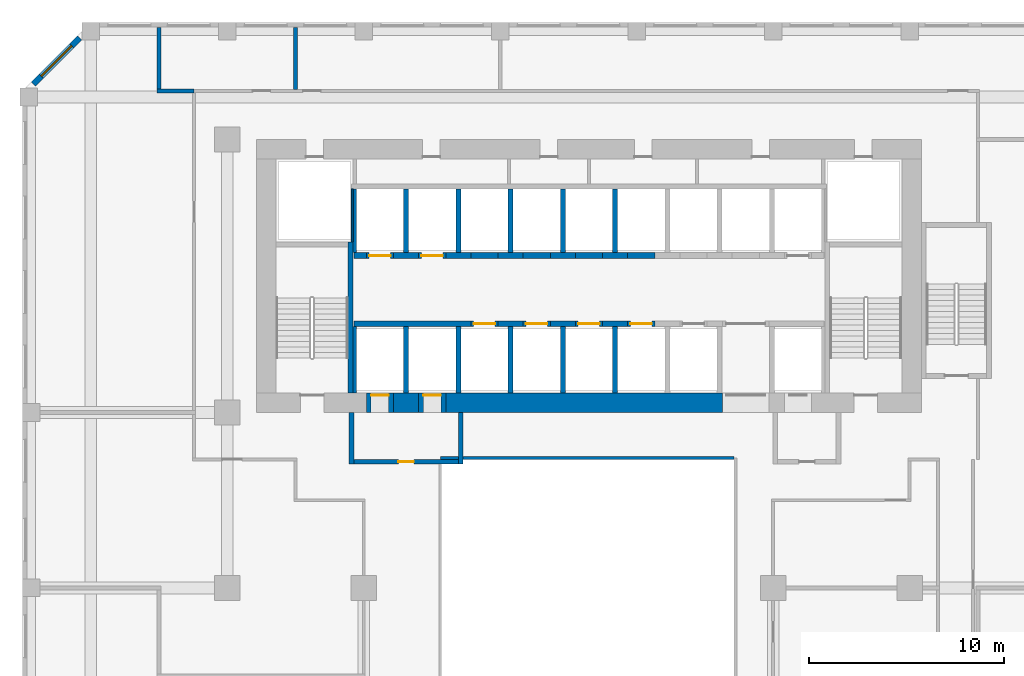
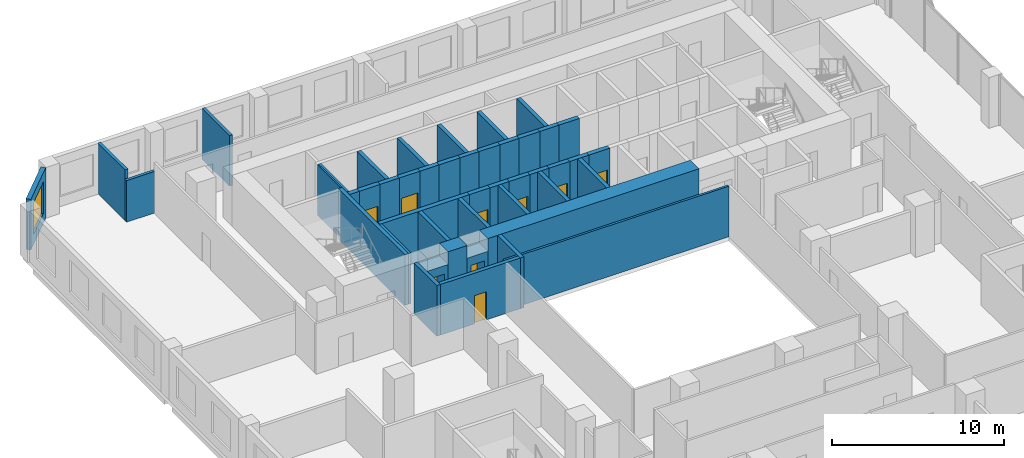
# One storey, part 15 of 23: 46 walls, 9 doors, 1 window, 10 openings.
"""IFC4 building model written with IfcOpenShell, lengths in metres."""

from ifc_helpers import new_model, si_unit, direction, frame, frame_2d, origin, place, context, subcontext, project, spatial, rectangle, extrude, source, transform, mapped, material, layer, layer_set, type_object, element, fill, save


model = new_model("IFC4")

# Units and contexts
model_context = context("Model", 3, precision=1e-05, world=origin(), true_north=direction((0.0, 1.0)))
body_context = subcontext(model_context, "Body", "Model", "MODEL_VIEW")
ifc_project = project(units=[si_unit("LENGTHUNIT", "METRE"), si_unit("AREAUNIT", "SQUARE_METRE"), si_unit("VOLUMEUNIT", "CUBIC_METRE"), si_unit("PLANEANGLEUNIT", "RADIAN"), si_unit("MASSUNIT", "GRAM", prefix="KILO")], contexts=[model_context])

# Site, building, storey
site_placement = place(None, origin())
site = spatial("IfcSite", under=ifc_project, at=site_placement, CompositionType="ELEMENT")
building_placement = place(site_placement, origin())
building = spatial("IfcBuilding", under=site, at=building_placement, Name="Kilnfold Tower and Market Hall", CompositionType="ELEMENT")
storey_placement = place(building_placement, frame((0.0, 0.0, 55.0)))
storey = spatial("IfcBuildingStorey", under=building, at=storey_placement, Name="L12", CompositionType="ELEMENT", Elevation=55.0)

# Walls
ifc_material_1 = material(Name="Fire-resisting glazed screen")
ifc_layer_1 = layer(ifc_material_1, 0.14990234375)
ifc_layer_set_1 = layer_set([ifc_layer_1], Name="Fire-resisting glazed screen")
wall_type_1 = type_object("IfcWallType", Name="WALL ATRIUM 150", PredefinedType="PARTITIONING", material=ifc_layer_set_1)
wall_1_placement = place(storey_placement, frame((-6.574951171875, 5.675048828125, 0.0), z_axis=(0.0, 0.0, 1.0), x_axis=(1.0, 0.0, 0.0)))
element("IfcWall", 1, at=wall_1_placement, inside=storey, type_object=wall_type_1, Name="Partition LY10.70", PredefinedType="PARTITIONING", context=body_context, shape_type="SweptSolid", body=[
    extrude(rectangle(XDim=15.074951171875, YDim=0.14990234375, at=frame_2d((7.53759765625, 0.0))), origin(), (0.0, 0.0, 1.0), 3.60009765625),
])
ifc_material_2 = material(Name="Gypsum board on steel studs", Category="steel")
ifc_layer_2 = layer(ifc_material_2, 0.199951171875)
ifc_layer_set_2 = layer_set([ifc_layer_2], Name="Gypsum board on steel studs")
wall_type_2 = type_object("IfcWallType", Name="WALL PARTY 200", PredefinedType="PARTITIONING", material=ifc_layer_set_2)
wall_2_placement = place(storey_placement, frame((-14.0, 27.75, 0.0), z_axis=(0.0, 0.0, 1.0), x_axis=(0.0, -1.0, 0.0)))
element("IfcWall", 2, at=wall_2_placement, inside=storey, type_object=wall_type_2, Name="Partition LY10.65", PredefinedType="PARTITIONING", context=body_context, shape_type="SweptSolid", body=[
    extrude(rectangle(XDim=3.174072265625, YDim=0.199951171875, at=frame_2d((1.5869140625, 0.0))), origin(), (0.0, 0.0, 1.0), 3.60009765625),
])
wall_3_placement = place(storey_placement, frame((-21.10009765625, 24.5, 0.0), z_axis=(0.0, 0.0, 1.0), x_axis=(1.0, 0.0, 0.0)))
element("IfcWall", 3, at=wall_3_placement, inside=storey, type_object=wall_type_2, Name="Partition LY10.66", PredefinedType="PARTITIONING", context=body_context, shape_type="SweptSolid", body=[
    extrude(rectangle(XDim=1.899169921875, YDim=0.199951171875, at=frame_2d((0.94970703125, 0.0))), origin(), (0.0, 0.0, 1.0), 2.949951171875),
])
wall_4_placement = place(storey_placement, frame((-21.0, 24.60009765625, 0.0), z_axis=(0.0, 0.0, 1.0), x_axis=(0.0, 1.0, 0.0)))
element("IfcWall", 4, at=wall_4_placement, inside=storey, type_object=wall_type_2, Name="Partition LY10.67", PredefinedType="PARTITIONING", context=body_context, shape_type="SweptSolid", body=[
    extrude(rectangle(XDim=3.14990234375, YDim=0.199951171875, at=frame_2d((1.574951171875, 0.0))), origin(), (0.0, 0.0, 1.0), 3.60009765625),
])
ifc_material_3 = material(Name="Concrete C80", Category="concrete")
ifc_layer_3 = layer(ifc_material_3, 1.0)
ifc_layer_set_3 = layer_set([ifc_layer_3], Name="Concrete C80")
wall_type_3 = type_object("IfcWallType", Name="CORE WALL 1000 C80", PredefinedType="SHEAR", material=ifc_layer_set_3)
shared_shape_1 = source(origin(), body_context, "Body", "SweptSolid", [
    extrude(rectangle(XDim=1.280029296875, YDim=1.0, at=frame_2d((0.64013671875, 0.0))), origin(), (0.0, 0.0, 1.0), 3.60009765625),
])
wall_5_placement = place(storey_placement, frame((-8.969970703125, 8.5, 0.0), z_axis=(0.0, 0.0, 1.0), x_axis=(1.0, 0.0, 0.0)))
element("IfcWall", 5, at=wall_5_placement, inside=storey, type_object=wall_type_3, Name="Core outer wall south", PredefinedType="SHEAR", context=body_context, shape_type="MappedRepresentation", body=[
    mapped(shared_shape_1, transform((0.0, 0.0, 0.0))),
])
shared_shape_2 = source(origin(), body_context, "Body", "SweptSolid", [
    extrude(rectangle(XDim=14.179931640625, YDim=1.0, at=frame_2d((7.08984375, 0.0))), origin(), (0.0, 0.0, 1.0), 3.60009765625),
])
wall_6_placement = place(storey_placement, frame((-6.2900390625, 8.5, 0.0), z_axis=(0.0, 0.0, 1.0), x_axis=(1.0, 0.0, 0.0)))
element("IfcWall", 6, at=wall_6_placement, inside=storey, type_object=wall_type_3, Name="Core outer wall south", PredefinedType="SHEAR", context=body_context, shape_type="MappedRepresentation", body=[
    mapped(shared_shape_2, transform((0.0, 0.0, 0.0))),
])
ifc_material_4 = material(Name="Concrete C80", Category="concrete")
ifc_layer_4 = layer(ifc_material_4, 0.25)
ifc_layer_set_4 = layer_set([ifc_layer_4], Name="Concrete C80")
wall_type_4 = type_object("IfcWallType", Name="CORE WALL 250 C80", PredefinedType="SHEAR", material=ifc_layer_set_4)
shared_shape_3 = source(origin(), body_context, "Body", "SweptSolid", [
    extrude(rectangle(XDim=7.75, YDim=0.25, at=frame_2d((3.875, 0.0))), origin(), (0.0, 0.0, 1.0), 3.60009765625),
])
wall_7_placement = place(storey_placement, frame((-11.175048828125, 9.0, 0.0), z_axis=(0.0, 0.0, 1.0), x_axis=(0.0, 1.0, 0.0)))
element("IfcWall", 7, at=wall_7_placement, inside=storey, type_object=wall_type_4, Name="Stair enclosure ST1", PredefinedType="SHEAR", context=body_context, shape_type="MappedRepresentation", body=[
    mapped(shared_shape_3, transform((0.0, 0.0, 0.0))),
])
ifc_material_5 = material(Name="Concrete C80", Category="concrete")
ifc_layer_5 = layer(ifc_material_5, 0.300048828125)
ifc_layer_set_5 = layer_set([ifc_layer_5], Name="Concrete C80")
wall_type_5 = type_object("IfcWallType", Name="CORE WALL 300 C80", PredefinedType="SHEAR", material=ifc_layer_set_5)
shared_shape_4 = source(origin(), body_context, "Body", "SweptSolid", [
    extrude(rectangle(XDim=6.0, YDim=0.300048828125, at=frame_2d((3.0, 0.0))), origin(), (0.0, 0.0, 1.0), 3.60009765625),
])
wall_8_placement = place(storey_placement, frame((-11.010009765625, 12.550048828125, 0.0), z_axis=(0.0, 0.0, 1.0), x_axis=(1.0, 0.0, 0.0)))
element("IfcWall", 8, at=wall_8_placement, inside=storey, type_object=wall_type_5, Name="Core spine wall", PredefinedType="SHEAR", context=body_context, shape_type="MappedRepresentation", body=[
    mapped(shared_shape_4, transform((0.0, 0.0, 0.0))),
])
shared_shape_5 = source(origin(), body_context, "Body", "SweptSolid", [
    extrude(rectangle(XDim=1.280029296875, YDim=0.300048828125, at=frame_2d((0.64013671875, 0.0))), origin(), (0.0, 0.0, 1.0), 3.60009765625),
])
for number, where, z_axis, x_axis, name in (
    (9, (-3.610107421875, 12.550048828125, 0.0), (0.0, 0.0, 1.0), (1.0, 0.0, 0.0), "Core spine wall"),
    (10, (-0.929931640625, 12.550048828125, 0.0), (0.0, 0.0, 1.0), (1.0, 0.0, 0.0), "Core spine wall"),
    (11, (1.75, 12.550048828125, 0.0), (0.0, 0.0, 1.0), (1.0, 0.0, 0.0), "Core spine wall"),
    (12, (-8.969970703125, 16.050048828125, 0.0), (0.0, 0.0, 1.0), (1.0, 0.0, 0.0), "Core spine wall"),
    (13, (-6.2900390625, 16.050048828125, 0.0), (0.0, 0.0, 1.0), (1.0, 0.0, 0.0), "Core spine wall"),
    (14, (-3.610107421875, 16.050048828125, 0.0), (0.0, 0.0, 1.0), (1.0, 0.0, 0.0), "Core spine wall"),
    (15, (-0.929931640625, 16.050048828125, 0.0), (0.0, 0.0, 1.0), (1.0, 0.0, 0.0), "Core spine wall"),
    (16, (1.75, 16.050048828125, 0.0), (0.0, 0.0, 1.0), (1.0, 0.0, 0.0), "Core spine wall"),
):
    element("IfcWall", number, at=place(storey_placement, frame(where, z_axis=z_axis, x_axis=x_axis)), inside=storey, type_object=wall_type_5, Name=name, PredefinedType="SHEAR", context=body_context, shape_type="MappedRepresentation", body=[
        mapped(shared_shape_5, transform((0.0, 0.0, 0.0))),
    ])
shared_shape_6 = source(origin(), body_context, "Body", "SweptSolid", [
    extrude(rectangle(XDim=0.639892578125, YDim=0.300048828125, at=frame_2d((0.31982421875, 0.0))), origin(), (0.0, 0.0, 1.0), 3.60009765625),
])
wall_9_placement = place(storey_placement, frame((-11.010009765625, 16.050048828125, 0.0), z_axis=(0.0, 0.0, 1.0), x_axis=(1.0, 0.0, 0.0)))
element("IfcWall", 17, at=wall_9_placement, inside=storey, type_object=wall_type_5, Name="Core spine wall", PredefinedType="SHEAR", context=body_context, shape_type="MappedRepresentation", body=[
    mapped(shared_shape_6, transform((0.0, 0.0, 0.0))),
])

# Wall, opening, window
ifc_material_6 = material(Name="Precast concrete C50/60", Category="concrete")
ifc_layer_6 = layer(ifc_material_6, 0.300048828125)
ifc_layer_set_6 = layer_set([ifc_layer_6], Name="Precast concrete C50/60")
wall_type_6 = type_object("IfcWallType", Name="PRECAST WALL 300", PredefinedType="SOLIDWALL", material=ifc_layer_set_6)
shared_shape_7 = source(origin(), body_context, "Body", "SweptSolid", [
    extrude(rectangle(XDim=3.35888671875, YDim=0.300048828125, at=frame_2d((1.679443359375, 0.0))), origin(), (0.0, 0.0, 1.0), 3.60009765625),
])
wall_10_placement = place(storey_placement, frame((-25.06884765625, 27.218994140625, 0.0), z_axis=(0.0, 0.0, 1.0), x_axis=(-0.707143122278, -0.707070438228, 0.0)))
wall_10 = element("IfcWall", 18, at=wall_10_placement, inside=storey, type_object=wall_type_6, Name="External wall L12 NW", PredefinedType="SOLIDWALL", context=body_context, shape_type="MappedRepresentation", body=[
    mapped(shared_shape_7, transform((0.0, 0.0, 0.0))),
])
opening_1_placement = place(wall_10_placement, frame((0.579345703125, 0.0, 0.699951171875)))
opening_1 = element("IfcOpeningElement", 19, at=opening_1_placement, cuts=wall_10, Name="Opening W1", PredefinedType="OPENING", context=body_context, shape_type="SweptSolid", body=[
    extrude(rectangle(XDim=2.199951171875, YDim=2.25, at=frame_2d((1.10009765625, 1.125))), frame((0.0, 0.16015625, 0.0), z_axis=(0.0, -1.0, 0.0), x_axis=(1.0, 0.0, 0.0)), (0.0, 0.0, 1.0), 0.320068359375),
])
ifc_material_7 = material(Name="Aluminium frame and double glazing", Category="aluminium")
window_type = type_object("IfcWindowType", Name="WINDOW W1 2200X2250", PartitioningType="SINGLE_PANEL", PredefinedType="WINDOW", material=ifc_material_7)
window_placement = place(opening_1_placement, origin())
window = element("IfcWindow", 20, at=window_placement, inside=storey, type_object=window_type, Name="Window W1 L12 NW-1", OverallHeight=2.25, OverallWidth=2.199951171875, PartitioningType="SINGLE_PANEL", PredefinedType="WINDOW", context=body_context, shape_type="SweptSolid", body=[
    extrude(rectangle(XDim=2.199951171875, YDim=2.25, at=frame_2d((1.10009765625, 1.125))), frame((0.0, 0.030029296875, 0.0), z_axis=(0.0, -1.0, 0.0), x_axis=(1.0, 0.0, 0.0)), (0.0, 0.0, 1.0), 0.06005859375),
])
fill(opening_1, window)

# Wall, opening, door
ifc_material_8 = material(Name="Gypsum shaft wall system")
ifc_layer_7 = layer(ifc_material_8, 1.0)
ifc_layer_set_7 = layer_set([ifc_layer_7], Name="Gypsum shaft wall system")
wall_type_7 = type_object("IfcWallType", Name="LOBBY WALL 1000", PredefinedType="PARTITIONING", material=ifc_layer_set_7)
shared_shape_8 = source(origin(), body_context, "Body", "SweptSolid", [
    extrude(rectangle(XDim=1.400146484375, YDim=1.0, at=frame_2d((0.7001953125, 0.0))), origin(), (0.0, 0.0, 1.0), 2.699951171875),
])
wall_11_placement = place(storey_placement, frame((-10.3701171875, 8.5, 0.0), z_axis=(0.0, 0.0, 1.0), x_axis=(1.0, 0.0, 0.0)))
wall_11 = element("IfcWall", 21, at=wall_11_placement, inside=storey, type_object=wall_type_7, Name="Core wall infill", PredefinedType="PARTITIONING", context=body_context, shape_type="MappedRepresentation", body=[
    mapped(shared_shape_8, transform((0.0, 0.0, 0.0))),
])
opening_2_placement = place(wall_11_placement, frame((0.25, 0.0, 0.0)))
opening_2 = element("IfcOpeningElement", 22, at=opening_2_placement, cuts=wall_11, Name="Opening LD1", PredefinedType="OPENING", context=body_context, shape_type="SweptSolid", body=[
    extrude(rectangle(XDim=0.89990234375, YDim=2.10009765625, at=frame_2d((0.449951171875, 1.050048828125))), frame((0.0, 0.510009765625, 0.0), z_axis=(0.0, -1.0, 0.0), x_axis=(1.0, 0.0, 0.0)), (0.0, 0.0, 1.0), 1.02001953125),
])
ifc_material_9 = material(Name="Steel door set with fire-resisting leaf", Category="steel")
door_type_1 = type_object("IfcDoorType", Name="FIREFIGHTING LANDING DOOR 900X2100", OperationType="NOTDEFINED", PredefinedType="DOOR", material=ifc_material_9)
door_1_placement = place(opening_2_placement, origin())
door_1 = element("IfcDoor", 23, at=door_1_placement, inside=storey, type_object=door_type_1, Name="Landing door FF1", OperationType="SLIDING_TO_LEFT", OverallHeight=2.10009765625, OverallWidth=0.89990234375, PredefinedType="DOOR", context=body_context, shape_type="SweptSolid", body=[
    extrude(rectangle(XDim=0.89990234375, YDim=2.10009765625, at=frame_2d((0.449951171875, 1.050048828125))), frame((0.0, 0.40478515625, 0.0), z_axis=(0.0, -1.0, 0.0), x_axis=(1.0, 0.0, 0.0)), (0.0, 0.0, 1.0), 0.050048828125),
])
fill(opening_2, door_1)

shared_shape_9 = source(origin(), body_context, "Body", "SweptSolid", [
    extrude(rectangle(XDim=1.39990234375, YDim=1.0, at=frame_2d((0.699951171875, 0.0))), origin(), (0.0, 0.0, 1.0), 2.699951171875),
])
wall_12_placement = place(storey_placement, frame((-7.68994140625, 8.5, 0.0), z_axis=(0.0, 0.0, 1.0), x_axis=(1.0, 0.0, 0.0)))
wall_12 = element("IfcWall", 24, at=wall_12_placement, inside=storey, type_object=wall_type_7, Name="Core wall infill", PredefinedType="PARTITIONING", context=body_context, shape_type="MappedRepresentation", body=[
    mapped(shared_shape_9, transform((0.0, 0.0, 0.0))),
])
opening_3_placement = place(wall_12_placement, frame((0.25, 0.0, 0.0)))
opening_3 = element("IfcOpeningElement", 25, at=opening_3_placement, cuts=wall_12, Name="Opening LD1", PredefinedType="OPENING", context=body_context, shape_type="SweptSolid", body=[
    extrude(rectangle(XDim=0.89990234375, YDim=2.10009765625, at=frame_2d((0.449951171875, 1.050048828125))), frame((0.0, 0.510009765625, 0.0), z_axis=(0.0, -1.0, 0.0), x_axis=(1.0, 0.0, 0.0)), (0.0, 0.0, 1.0), 1.02001953125),
])
door_2_placement = place(opening_3_placement, origin())
door_2 = element("IfcDoor", 26, at=door_2_placement, inside=storey, type_object=door_type_1, Name="Landing door FF2", OperationType="SLIDING_TO_RIGHT", OverallHeight=2.10009765625, OverallWidth=0.89990234375, PredefinedType="DOOR", context=body_context, shape_type="SweptSolid", body=[
    extrude(rectangle(XDim=0.89990234375, YDim=2.10009765625, at=frame_2d((0.449951171875, 1.050048828125))), frame((0.0, 0.40478515625, 0.0), z_axis=(0.0, -1.0, 0.0), x_axis=(1.0, 0.0, 0.0)), (0.0, 0.0, 1.0), 0.050048828125),
])
fill(opening_3, door_2)

ifc_material_10 = material(Name="Gypsum shaft wall system")
ifc_layer_8 = layer(ifc_material_10, 0.300048828125)
ifc_layer_set_8 = layer_set([ifc_layer_8], Name="Gypsum shaft wall system")
wall_type_8 = type_object("IfcWallType", Name="SHAFT WALL 300", PredefinedType="PARTITIONING", material=ifc_layer_set_8)
shared_shape_10 = source(origin(), body_context, "Body", "SweptSolid", [
    extrude(rectangle(XDim=1.39990234375, YDim=0.300048828125, at=frame_2d((0.699951171875, 0.0))), origin(), (0.0, 0.0, 1.0), 3.60009765625),
])
wall_13_placement = place(storey_placement, frame((-5.010009765625, 12.550048828125, 0.0), z_axis=(0.0, 0.0, 1.0), x_axis=(1.0, 0.0, 0.0)))
wall_13 = element("IfcWall", 27, at=wall_13_placement, inside=storey, type_object=wall_type_8, Name="Lift shaft front wall", PredefinedType="PARTITIONING", context=body_context, shape_type="MappedRepresentation", body=[
    mapped(shared_shape_10, transform((0.0, 0.0, 0.0))),
])
opening_4_placement = place(wall_13_placement, frame((0.14990234375, 0.0, 0.0)))
opening_4 = element("IfcOpeningElement", 28, at=opening_4_placement, cuts=wall_13, Name="Opening LD2", PredefinedType="OPENING", context=body_context, shape_type="SweptSolid", body=[
    extrude(rectangle(XDim=1.10009765625, YDim=2.10009765625, at=frame_2d((0.550048828125, 1.050048828125))), frame((0.0, 0.16015625, 0.0), z_axis=(0.0, -1.0, 0.0), x_axis=(1.0, 0.0, 0.0)), (0.0, 0.0, 1.0), 0.320068359375),
])
ifc_material_11 = material(Name="Steel door set with fire-resisting leaf", Category="steel")
door_type_2 = type_object("IfcDoorType", Name="LANDING DOOR 1100X2100", OperationType="NOTDEFINED", PredefinedType="DOOR", material=ifc_material_11)
door_3_placement = place(opening_4_placement, origin())
door_3 = element("IfcDoor", 29, at=door_3_placement, inside=storey, type_object=door_type_2, Name="Landing door LR1", OperationType="DOUBLE_DOOR_SLIDING", OverallHeight=2.10009765625, OverallWidth=1.10009765625, PredefinedType="DOOR", context=body_context, shape_type="SweptSolid", body=[
    extrude(rectangle(XDim=1.10009765625, YDim=2.10009765625, at=frame_2d((0.550048828125, 1.050048828125))), frame((0.0, 0.02490234375, 0.0), z_axis=(0.0, -1.0, 0.0), x_axis=(1.0, 0.0, 0.0)), (0.0, 0.0, 1.0), 0.050048828125),
])
fill(opening_4, door_3)

wall_14_placement = place(storey_placement, frame((0.35009765625, 12.550048828125, 0.0), z_axis=(0.0, 0.0, 1.0), x_axis=(1.0, 0.0, 0.0)))
wall_14 = element("IfcWall", 30, at=wall_14_placement, inside=storey, type_object=wall_type_8, Name="Lift shaft front wall", PredefinedType="PARTITIONING", context=body_context, shape_type="MappedRepresentation", body=[
    mapped(shared_shape_10, transform((0.0, 0.0, 0.0))),
])
opening_5_placement = place(wall_14_placement, frame((0.14990234375, 0.0, 0.0)))
opening_5 = element("IfcOpeningElement", 31, at=opening_5_placement, cuts=wall_14, Name="Opening LD2", PredefinedType="OPENING", context=body_context, shape_type="SweptSolid", body=[
    extrude(rectangle(XDim=1.10009765625, YDim=2.10009765625, at=frame_2d((0.550048828125, 1.050048828125))), frame((0.0, 0.16015625, 0.0), z_axis=(0.0, -1.0, 0.0), x_axis=(1.0, 0.0, 0.0)), (0.0, 0.0, 1.0), 0.320068359375),
])
door_4_placement = place(opening_5_placement, origin())
door_4 = element("IfcDoor", 32, at=door_4_placement, inside=storey, type_object=door_type_2, Name="Landing door LR3", OperationType="DOUBLE_DOOR_SLIDING", OverallHeight=2.10009765625, OverallWidth=1.10009765625, PredefinedType="DOOR", context=body_context, shape_type="SweptSolid", body=[
    extrude(rectangle(XDim=1.10009765625, YDim=2.10009765625, at=frame_2d((0.550048828125, 1.050048828125))), frame((0.0, 0.02490234375, 0.0), z_axis=(0.0, -1.0, 0.0), x_axis=(1.0, 0.0, 0.0)), (0.0, 0.0, 1.0), 0.050048828125),
])
fill(opening_5, door_4)

wall_15_placement = place(storey_placement, frame((3.030029296875, 12.550048828125, 0.0), z_axis=(0.0, 0.0, 1.0), x_axis=(1.0, 0.0, 0.0)))
wall_15 = element("IfcWall", 33, at=wall_15_placement, inside=storey, type_object=wall_type_8, Name="Lift shaft front wall", PredefinedType="PARTITIONING", context=body_context, shape_type="MappedRepresentation", body=[
    mapped(shared_shape_10, transform((0.0, 0.0, 0.0))),
])
opening_6_placement = place(wall_15_placement, frame((0.14990234375, 0.0, 0.0)))
opening_6 = element("IfcOpeningElement", 34, at=opening_6_placement, cuts=wall_15, Name="Opening LD2", PredefinedType="OPENING", context=body_context, shape_type="SweptSolid", body=[
    extrude(rectangle(XDim=1.10009765625, YDim=2.10009765625, at=frame_2d((0.550048828125, 1.050048828125))), frame((0.0, 0.16015625, 0.0), z_axis=(0.0, -1.0, 0.0), x_axis=(1.0, 0.0, 0.0)), (0.0, 0.0, 1.0), 0.320068359375),
])
door_5_placement = place(opening_6_placement, origin())
door_5 = element("IfcDoor", 35, at=door_5_placement, inside=storey, type_object=door_type_2, Name="Landing door LR4", OperationType="DOUBLE_DOOR_SLIDING", OverallHeight=2.10009765625, OverallWidth=1.10009765625, PredefinedType="DOOR", context=body_context, shape_type="SweptSolid", body=[
    extrude(rectangle(XDim=1.10009765625, YDim=2.10009765625, at=frame_2d((0.550048828125, 1.050048828125))), frame((0.0, 0.02490234375, 0.0), z_axis=(0.0, -1.0, 0.0), x_axis=(1.0, 0.0, 0.0)), (0.0, 0.0, 1.0), 0.050048828125),
])
fill(opening_6, door_5)

wall_16_placement = place(storey_placement, frame((-7.68994140625, 16.050048828125, 0.0), z_axis=(0.0, 0.0, 1.0), x_axis=(1.0, 0.0, 0.0)))
wall_16 = element("IfcWall", 36, at=wall_16_placement, inside=storey, type_object=wall_type_8, Name="Lift shaft front wall", PredefinedType="PARTITIONING", context=body_context, shape_type="MappedRepresentation", body=[
    mapped(shared_shape_10, transform((0.0, 0.0, 0.0))),
])
opening_7_placement = place(wall_16_placement, frame((0.14990234375, 0.0, 0.0)))
opening_7 = element("IfcOpeningElement", 37, at=opening_7_placement, cuts=wall_16, Name="Opening LD2", PredefinedType="OPENING", context=body_context, shape_type="SweptSolid", body=[
    extrude(rectangle(XDim=1.10009765625, YDim=2.10009765625, at=frame_2d((0.550048828125, 1.050048828125))), frame((0.0, 0.16015625, 0.0), z_axis=(0.0, -1.0, 0.0), x_axis=(1.0, 0.0, 0.0)), (0.0, 0.0, 1.0), 0.320068359375),
])
door_6_placement = place(opening_7_placement, origin())
door_6 = element("IfcDoor", 38, at=door_6_placement, inside=storey, type_object=door_type_2, Name="Landing door LR8", OperationType="DOUBLE_DOOR_SLIDING", OverallHeight=2.10009765625, OverallWidth=1.10009765625, PredefinedType="DOOR", context=body_context, shape_type="SweptSolid", body=[
    extrude(rectangle(XDim=1.10009765625, YDim=2.10009765625, at=frame_2d((0.550048828125, 1.050048828125))), frame((0.0, 0.02490234375, 0.0), z_axis=(0.0, -1.0, 0.0), x_axis=(1.0, 0.0, 0.0)), (0.0, 0.0, 1.0), 0.050048828125),
])
fill(opening_7, door_6)

# Walls
for number, where, z_axis, x_axis, name in (
    (39, (-5.010009765625, 16.050048828125, 0.0), (0.0, 0.0, 1.0), (1.0, 0.0, 0.0), "Lift shaft front wall"),
    (40, (0.35009765625, 16.050048828125, 0.0), (0.0, 0.0, 1.0), (1.0, 0.0, 0.0), "Lift shaft front wall"),
    (41, (3.030029296875, 16.050048828125, 0.0), (0.0, 0.0, 1.0), (1.0, 0.0, 0.0), "Lift shaft front wall"),
):
    element("IfcWall", number, at=place(storey_placement, frame(where, z_axis=z_axis, x_axis=x_axis)), inside=storey, type_object=wall_type_8, Name=name, PredefinedType="PARTITIONING", context=body_context, shape_type="MappedRepresentation", body=[
        mapped(shared_shape_10, transform((0.0, 0.0, 0.0))),
    ])

# Wall, opening, door
shared_shape_11 = source(origin(), body_context, "Body", "SweptSolid", [
    extrude(rectangle(XDim=1.400146484375, YDim=0.300048828125, at=frame_2d((0.7001953125, 0.0))), origin(), (0.0, 0.0, 1.0), 3.60009765625),
])
wall_17_placement = place(storey_placement, frame((-2.330078125, 12.550048828125, 0.0), z_axis=(0.0, 0.0, 1.0), x_axis=(1.0, 0.0, 0.0)))
wall_17 = element("IfcWall", 42, at=wall_17_placement, inside=storey, type_object=wall_type_8, Name="Lift shaft front wall", PredefinedType="PARTITIONING", context=body_context, shape_type="MappedRepresentation", body=[
    mapped(shared_shape_11, transform((0.0, 0.0, 0.0))),
])
opening_8_placement = place(wall_17_placement, frame((0.14990234375, 0.0, 0.0)))
opening_8 = element("IfcOpeningElement", 43, at=opening_8_placement, cuts=wall_17, Name="Opening LD2", PredefinedType="OPENING", context=body_context, shape_type="SweptSolid", body=[
    extrude(rectangle(XDim=1.10009765625, YDim=2.10009765625, at=frame_2d((0.550048828125, 1.050048828125))), frame((0.0, 0.16015625, 0.0), z_axis=(0.0, -1.0, 0.0), x_axis=(1.0, 0.0, 0.0)), (0.0, 0.0, 1.0), 0.320068359375),
])
door_7_placement = place(opening_8_placement, origin())
door_7 = element("IfcDoor", 44, at=door_7_placement, inside=storey, type_object=door_type_2, Name="Landing door LR2", OperationType="DOUBLE_DOOR_SLIDING", OverallHeight=2.10009765625, OverallWidth=1.10009765625, PredefinedType="DOOR", context=body_context, shape_type="SweptSolid", body=[
    extrude(rectangle(XDim=1.10009765625, YDim=2.10009765625, at=frame_2d((0.550048828125, 1.050048828125))), frame((0.0, 0.02490234375, 0.0), z_axis=(0.0, -1.0, 0.0), x_axis=(1.0, 0.0, 0.0)), (0.0, 0.0, 1.0), 0.050048828125),
])
fill(opening_8, door_7)

wall_18_placement = place(storey_placement, frame((-10.3701171875, 16.050048828125, 0.0), z_axis=(0.0, 0.0, 1.0), x_axis=(1.0, 0.0, 0.0)))
wall_18 = element("IfcWall", 45, at=wall_18_placement, inside=storey, type_object=wall_type_8, Name="Lift shaft front wall", PredefinedType="PARTITIONING", context=body_context, shape_type="MappedRepresentation", body=[
    mapped(shared_shape_11, transform((0.0, 0.0, 0.0))),
])
opening_9_placement = place(wall_18_placement, frame((0.14990234375, 0.0, 0.0)))
opening_9 = element("IfcOpeningElement", 46, at=opening_9_placement, cuts=wall_18, Name="Opening LD2", PredefinedType="OPENING", context=body_context, shape_type="SweptSolid", body=[
    extrude(rectangle(XDim=1.10009765625, YDim=2.10009765625, at=frame_2d((0.550048828125, 1.050048828125))), frame((0.0, 0.16015625, 0.0), z_axis=(0.0, -1.0, 0.0), x_axis=(1.0, 0.0, 0.0)), (0.0, 0.0, 1.0), 0.320068359375),
])
door_8_placement = place(opening_9_placement, origin())
door_8 = element("IfcDoor", 47, at=door_8_placement, inside=storey, type_object=door_type_2, Name="Landing door LR7", OperationType="DOUBLE_DOOR_SLIDING", OverallHeight=2.10009765625, OverallWidth=1.10009765625, PredefinedType="DOOR", context=body_context, shape_type="SweptSolid", body=[
    extrude(rectangle(XDim=1.10009765625, YDim=2.10009765625, at=frame_2d((0.550048828125, 1.050048828125))), frame((0.0, 0.02490234375, 0.0), z_axis=(0.0, -1.0, 0.0), x_axis=(1.0, 0.0, 0.0)), (0.0, 0.0, 1.0), 0.050048828125),
])
fill(opening_9, door_8)

# Walls
wall_19_placement = place(storey_placement, frame((-2.330078125, 16.050048828125, 0.0), z_axis=(0.0, 0.0, 1.0), x_axis=(1.0, 0.0, 0.0)))
element("IfcWall", 48, at=wall_19_placement, inside=storey, type_object=wall_type_8, Name="Lift shaft front wall", PredefinedType="PARTITIONING", context=body_context, shape_type="MappedRepresentation", body=[
    mapped(shared_shape_11, transform((0.0, 0.0, 0.0))),
])
ifc_material_12 = material(Name="Gypsum shaft wall system")
ifc_layer_9 = layer(ifc_material_12, 0.25)
ifc_layer_set_9 = layer_set([ifc_layer_9], Name="Gypsum shaft wall system")
wall_type_9 = type_object("IfcWallType", Name="LOBBY WALL 250", PredefinedType="PARTITIONING", material=ifc_layer_set_9)
shared_shape_12 = source(origin(), body_context, "Body", "SweptSolid", [
    extrude(rectangle(XDim=2.64990234375, YDim=0.25, at=frame_2d((1.324951171875, 0.0))), origin(), (0.0, 0.0, 1.0), 3.60009765625),
])
for number, where, z_axis, x_axis, name in (
    (49, (-11.135009765625, 5.35009765625, 0.0), (0.0, 0.0, 1.0), (0.0, 1.0, 0.0), "Firefighting lobby wall"),
    (50, (-5.52490234375, 5.35009765625, 0.0), (0.0, 0.0, 1.0), (0.0, 1.0, 0.0), "Firefighting lobby wall"),
):
    element("IfcWall", number, at=place(storey_placement, frame(where, z_axis=z_axis, x_axis=x_axis)), inside=storey, type_object=wall_type_9, Name=name, PredefinedType="PARTITIONING", context=body_context, shape_type="MappedRepresentation", body=[
        mapped(shared_shape_12, transform((0.0, 0.0, 0.0))),
    ])

# Wall, opening, door
shared_shape_13 = source(origin(), body_context, "Body", "SweptSolid", [
    extrude(rectangle(XDim=5.360107421875, YDim=0.25, at=frame_2d((2.68017578125, 0.0))), origin(), (0.0, 0.0, 1.0), 3.60009765625),
])
wall_20_placement = place(storey_placement, frame((-11.010009765625, 5.47509765625, 0.0), z_axis=(0.0, 0.0, 1.0), x_axis=(1.0, 0.0, 0.0)))
wall_20 = element("IfcWall", 51, at=wall_20_placement, inside=storey, type_object=wall_type_9, Name="Firefighting lobby wall", PredefinedType="PARTITIONING", context=body_context, shape_type="MappedRepresentation", body=[
    mapped(shared_shape_13, transform((0.0, 0.0, 0.0))),
])
opening_10_placement = place(wall_20_placement, frame((2.280029296875, 0.0, 0.0)))
opening_10 = element("IfcOpeningElement", 52, at=opening_10_placement, cuts=wall_20, Name="Opening VD1", PredefinedType="OPENING", context=body_context, shape_type="SweptSolid", body=[
    extrude(rectangle(XDim=0.800048828125, YDim=2.0, at=frame_2d((0.39990234375, 1.0))), frame((0.0, 0.135009765625, 0.0), z_axis=(0.0, -1.0, 0.0), x_axis=(1.0, 0.0, 0.0)), (0.0, 0.0, 1.0), 0.27001953125),
])
ifc_material_13 = material(Name="Steel door set with fire-resisting leaf", Category="steel")
door_type_3 = type_object("IfcDoorType", Name="FIREFIGHTING LOBBY DOOR 800X2000", OperationType="NOTDEFINED", PredefinedType="DOOR", material=ifc_material_13)
door_9_placement = place(opening_10_placement, origin())
door_9 = element("IfcDoor", 53, at=door_9_placement, inside=storey, type_object=door_type_3, Name="Firefighting lobby door", OperationType="SINGLE_SWING_LEFT", OverallHeight=2.0, OverallWidth=0.800048828125, PredefinedType="DOOR", context=body_context, shape_type="SweptSolid", body=[
    extrude(rectangle(XDim=0.800048828125, YDim=2.0, at=frame_2d((0.39990234375, 1.0))), frame((0.0, 0.02490234375, 0.0), z_axis=(0.0, -1.0, 0.0), x_axis=(1.0, 0.0, 0.0)), (0.0, 0.0, 1.0), 0.050048828125),
])
fill(opening_10, door_9)

# Walls
ifc_material_14 = material(Name="Gypsum shaft wall system")
ifc_layer_10 = layer(ifc_material_14, 0.1650390625)
ifc_layer_set_10 = layer_set([ifc_layer_10], Name="Gypsum shaft wall system")
wall_type_10 = type_object("IfcWallType", Name="SHAFT WALL 165", PredefinedType="PARTITIONING", material=ifc_layer_set_10)
shared_shape_14 = source(origin(), body_context, "Body", "SweptSolid", [
    extrude(rectangle(XDim=3.275146484375, YDim=0.1650390625, at=frame_2d((1.6376953125, 0.0))), origin(), (0.0, 0.0, 1.0), 3.60009765625),
])
wall_21_placement = place(storey_placement, frame((-10.967529296875, 16.199951171875, 0.0), z_axis=(0.0, 0.0, 1.0), x_axis=(0.0, 1.0, 0.0)))
element("IfcWall", 54, at=wall_21_placement, inside=storey, type_object=wall_type_10, Name="Lift shaft wall", PredefinedType="PARTITIONING", context=body_context, shape_type="MappedRepresentation", body=[
    mapped(shared_shape_14, transform((0.0, 0.0, 0.0))),
])
ifc_material_15 = material(Name="Gypsum shaft wall system")
ifc_layer_11 = layer(ifc_material_15, 0.25)
ifc_layer_set_11 = layer_set([ifc_layer_11], Name="Gypsum shaft wall system")
wall_type_11 = type_object("IfcWallType", Name="SHAFT WALL 250", PredefinedType="PARTITIONING", material=ifc_layer_set_11)
shared_shape_15 = source(origin(), body_context, "Body", "SweptSolid", [
    extrude(rectangle(XDim=3.275146484375, YDim=0.25, at=frame_2d((1.6376953125, 0.0))), origin(), (0.0, 0.0, 1.0), 3.60009765625),
])
for number, where, z_axis, x_axis, name in (
    (55, (2.389892578125, 16.199951171875, 0.0), (0.0, 0.0, 1.0), (0.0, 1.0, 0.0), "Lift shaft wall"),
    (56, (-0.2900390625, 16.199951171875, 0.0), (0.0, 0.0, 1.0), (0.0, 1.0, 0.0), "Lift shaft wall"),
    (57, (-2.969970703125, 16.199951171875, 0.0), (0.0, 0.0, 1.0), (0.0, 1.0, 0.0), "Lift shaft wall"),
    (58, (-5.64990234375, 16.199951171875, 0.0), (0.0, 0.0, 1.0), (0.0, 1.0, 0.0), "Lift shaft wall"),
    (59, (-8.330078125, 16.199951171875, 0.0), (0.0, 0.0, 1.0), (0.0, 1.0, 0.0), "Lift shaft wall"),
):
    element("IfcWall", number, at=place(storey_placement, frame(where, z_axis=z_axis, x_axis=x_axis)), inside=storey, type_object=wall_type_11, Name=name, PredefinedType="PARTITIONING", context=body_context, shape_type="MappedRepresentation", body=[
        mapped(shared_shape_15, transform((0.0, 0.0, 0.0))),
    ])
ifc_material_16 = material(Name="Gypsum shaft wall system")
ifc_layer_12 = layer(ifc_material_16, 0.0849609375)
ifc_layer_set_12 = layer_set([ifc_layer_12], Name="Gypsum shaft wall system")
wall_type_12 = type_object("IfcWallType", Name="SHAFT WALL 85", PredefinedType="PARTITIONING", material=ifc_layer_set_12)
shared_shape_16 = source(origin(), body_context, "Body", "SweptSolid", [
    extrude(rectangle(XDim=2.72509765625, YDim=0.0849609375, at=frame_2d((1.362548828125, 0.0))), origin(), (0.0, 0.0, 1.0), 3.60009765625),
])
wall_22_placement = place(storey_placement, frame((-11.092529296875, 16.75, 0.0), z_axis=(0.0, 0.0, 1.0), x_axis=(0.0, 1.0, 0.0)))
element("IfcWall", 60, at=wall_22_placement, inside=storey, type_object=wall_type_12, Name="Lift shaft wall", PredefinedType="PARTITIONING", context=body_context, shape_type="MappedRepresentation", body=[
    mapped(shared_shape_16, transform((0.0, 0.0, 0.0))),
])
shared_shape_17 = source(origin(), body_context, "Body", "SweptSolid", [
    extrude(rectangle(XDim=3.39990234375, YDim=0.25, at=frame_2d((1.699951171875, 0.0))), origin(), (0.0, 0.0, 1.0), 3.60009765625),
])
for number, where, z_axis, x_axis, name in (
    (61, (2.389892578125, 9.0, 0.0), (0.0, 0.0, 1.0), (0.0, 1.0, 0.0), "Lift shaft wall"),
    (62, (-0.2900390625, 9.0, 0.0), (0.0, 0.0, 1.0), (0.0, 1.0, 0.0), "Lift shaft wall"),
    (63, (-2.969970703125, 9.0, 0.0), (0.0, 0.0, 1.0), (0.0, 1.0, 0.0), "Lift shaft wall"),
    (64, (-5.64990234375, 9.0, 0.0), (0.0, 0.0, 1.0), (0.0, 1.0, 0.0), "Lift shaft wall"),
    (65, (-8.330078125, 9.0, 0.0), (0.0, 0.0, 1.0), (0.0, 1.0, 0.0), "Lift shaft wall"),
):
    element("IfcWall", number, at=place(storey_placement, frame(where, z_axis=z_axis, x_axis=x_axis)), inside=storey, type_object=wall_type_11, Name=name, PredefinedType="PARTITIONING", context=body_context, shape_type="MappedRepresentation", body=[
        mapped(shared_shape_17, transform((0.0, 0.0, 0.0))),
    ])
shared_shape_18 = source(origin(), body_context, "Body", "SweptSolid", [
    extrude(rectangle(XDim=3.39990234375, YDim=0.1650390625, at=frame_2d((1.699951171875, 0.0))), origin(), (0.0, 0.0, 1.0), 3.60009765625),
])
wall_23_placement = place(storey_placement, frame((-10.967529296875, 9.0, 0.0), z_axis=(0.0, 0.0, 1.0), x_axis=(0.0, 1.0, 0.0)))
element("IfcWall", 66, at=wall_23_placement, inside=storey, type_object=wall_type_10, Name="Lift shaft wall", PredefinedType="PARTITIONING", context=body_context, shape_type="MappedRepresentation", body=[
    mapped(shared_shape_18, transform((0.0, 0.0, 0.0))),
])

save(model, "model.ifc")
